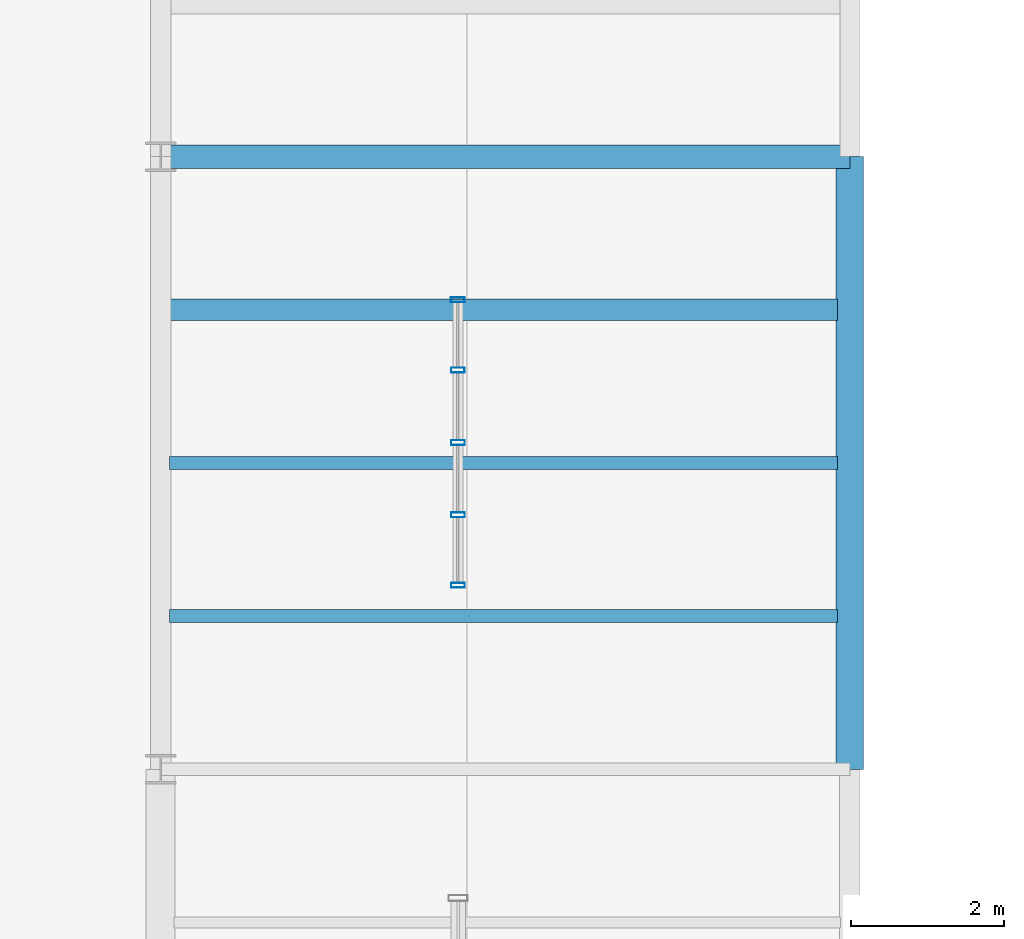
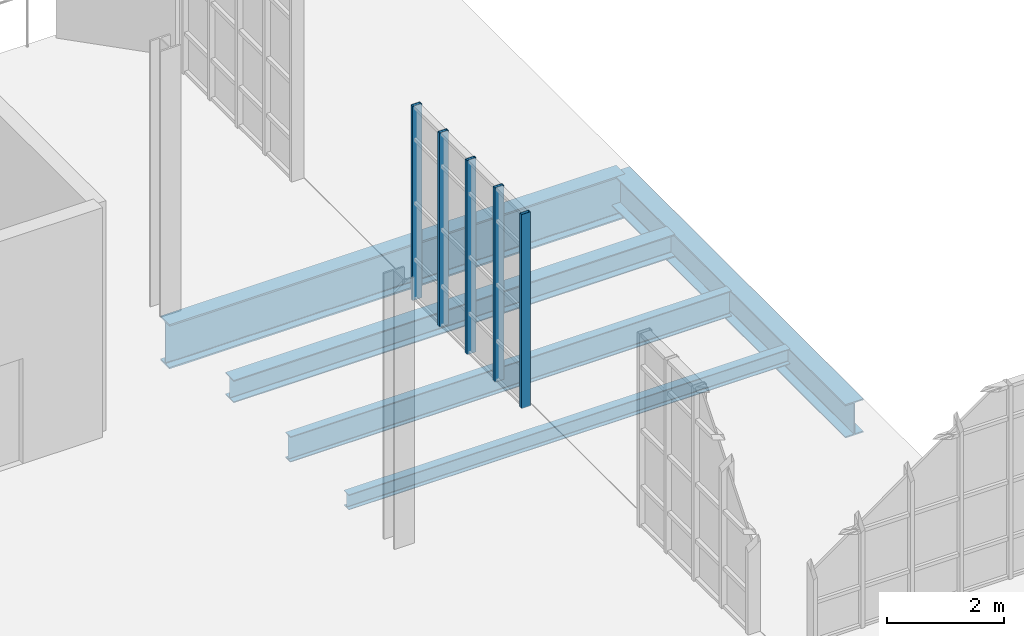
# One storey, part 18 of 36: 5 beams, 5 members, 1 element without a shape of its own.
"""IFC4 building model written with IfcOpenShell, lengths in metres."""

import ifcopenshell
import ifcopenshell.guid

model = None  # the IFC model being written
_history = None  # IfcOwnerHistory: only IFC2X3 demands one
_inside = {}  # id of a spatial element -> (the spatial element, [elements in it])
_under = {}  # id of a project, library or spatial element -> (it, [spatial elements below it])
_declared = {}  # id of a project -> (the project, [libraries it declares])
_typed = {}  # id of a type object -> (the type object, [elements of that type])
_made_of = {}  # id of a material, layer set ... -> (it, [elements and type objects made of it])


def new_model(schema):
    """Start an empty IFC model of exactly this schema.

    Asked for "IFC4X3", IfcOpenShell would pick the latest addendum, in which some entities
    have other attributes; the version numbers below select the first issue.
    IFC2X3 requires an IfcOwnerHistory on every rooted entity: one is made here for all.
    """
    global model, _history
    if schema == "IFC4X3":
        model = ifcopenshell.file(schema_version=(4, 3, 0, 0))
    else:
        model = ifcopenshell.file(schema=schema)
    _inside.clear()
    _under.clear()
    _declared.clear()
    _typed.clear()
    _made_of.clear()
    _history = None
    if model.schema == "IFC2X3":
        org = make("IfcOrganization", Name="unknown")
        user = make(
            "IfcPersonAndOrganization",
            ThePerson=make("IfcPerson", FamilyName="unknown"),
            TheOrganization=org,
        )
        app = make(
            "IfcApplication",
            ApplicationDeveloper=org,
            Version="unknown",
            ApplicationFullName="unknown",
            ApplicationIdentifier="unknown",
        )
        _history = make(
            "IfcOwnerHistory",
            OwningUser=user,
            OwningApplication=app,
            ChangeAction="ADDED",
            CreationDate=0,
        )
    return model


def make(cls, **values):
    """One entity of the class cls with the attributes given. An attribute that is None is left unset."""
    return model.create_entity(
        cls, **{name: value for name, value in values.items() if value is not None}
    )


def rooted(cls, **values):
    """An entity with a GlobalId (a new one), such as an element, a storey or a relation."""
    return make(cls, GlobalId=ifcopenshell.guid.new(), OwnerHistory=_history, **values)


def si_unit(unit_type, name, prefix=None):
    """IfcSIUnit, for example si_unit("LENGTHUNIT", "METRE", prefix="MILLI")."""
    return make("IfcSIUnit", UnitType=unit_type, Prefix=prefix, Name=name)


def assignment(units):
    """IfcUnitAssignment: the units of a project."""
    return None if units is None else make("IfcUnitAssignment", Units=units)


def point(xyz):
    """IfcCartesianPoint."""
    return None if xyz is None else make("IfcCartesianPoint", Coordinates=xyz)


def direction(xyz):
    """IfcDirection."""
    return None if xyz is None else make("IfcDirection", DirectionRatios=xyz)


def frame(location, z_axis=None, x_axis=None):
    """IfcAxis2Placement3D, a coordinate frame: its origin and axes. An axis left out is left unset."""
    return make(
        "IfcAxis2Placement3D",
        Location=point(location),
        Axis=direction(z_axis),
        RefDirection=direction(x_axis),
    )


def frame_2d(location, x_axis=None):
    """IfcAxis2Placement2D, a coordinate frame in the plane: its origin and x axis."""
    return make(
        "IfcAxis2Placement2D", Location=point(location), RefDirection=direction(x_axis)
    )


def origin():
    """The frame at (0, 0, 0) with its axes left unset."""
    return frame((0.0, 0.0, 0.0))


def origin_2d():
    """The frame at (0, 0) in the plane with its x axis left unset."""
    return frame_2d((0.0, 0.0))


def place(relative_to, where):
    """IfcLocalPlacement: puts the frame where relative to a parent placement (None: the world)."""
    return make(
        "IfcLocalPlacement", PlacementRelTo=relative_to, RelativePlacement=where
    )


def context(
    kind, dimensions, precision=None, world=None, true_north=None, identifier=None
):
    """IfcGeometricRepresentationContext, for example the 3D "Model" context."""
    return make(
        "IfcGeometricRepresentationContext",
        ContextIdentifier=identifier,
        ContextType=kind,
        CoordinateSpaceDimension=dimensions,
        Precision=precision,
        WorldCoordinateSystem=world,
        TrueNorth=true_north,
    )


def subcontext(parent, identifier, kind, view, scale=None):
    """IfcGeometricRepresentationSubContext, for example "Body" below "Model"."""
    return make(
        "IfcGeometricRepresentationSubContext",
        ContextIdentifier=identifier,
        ContextType=kind,
        ParentContext=parent,
        TargetScale=scale,
        TargetView=view,
    )


def project(units=None, contexts=None):
    """IfcProject with its units and contexts."""
    return rooted(
        "IfcProject",
        Name="project",
        RepresentationContexts=contexts,
        UnitsInContext=assignment(units),
    )


def spatial(cls, under=None, at=None, **own):
    """A site, building, storey or space (cls), placed at a placement, below another one or the project."""
    s = rooted(cls, ObjectPlacement=at, **own)
    if under is not None:
        _under.setdefault(under.id(), (under, []))[1].append(s)
    return s


def profile(cls, at=None, kind="AREA", **sizes):
    """A parametric profile (cls). Its sizes go by their IFC names, for example OverallWidth=200.0."""
    return make(cls, ProfileType=kind, Position=at, **sizes)


def hollow_rectangle(**sizes):
    """IfcRectangleHollowProfileDef."""
    return profile("IfcRectangleHollowProfileDef", **sizes)


def i_section(**sizes):
    """IfcIShapeProfileDef."""
    return profile("IfcIShapeProfileDef", **sizes)


def extrude(swept, where, along, depth):
    """IfcExtrudedAreaSolid: the profile swept, set in the frame where, extruded along a direction by depth."""
    return make(
        "IfcExtrudedAreaSolid",
        SweptArea=swept,
        Position=where,
        ExtrudedDirection=direction(along),
        Depth=depth,
    )


def shape(context_of_items, identifier, shape_type, items):
    """IfcShapeRepresentation: the items that make up one representation, for example the "Body"."""
    return make(
        "IfcShapeRepresentation",
        ContextOfItems=context_of_items,
        RepresentationIdentifier=identifier,
        RepresentationType=shape_type,
        Items=items,
    )


def material(Name=None, Category=None):
    """IfcMaterial."""
    return make("IfcMaterial", Name=Name, Category=Category)


def layer(
    of_material, thickness, ventilated=None, Name=None, Category=None, Priority=None
):
    """IfcMaterialLayer: one layer of a wall or slab, of a material (None: an air gap)."""
    return make(
        "IfcMaterialLayer",
        Material=of_material,
        LayerThickness=thickness,
        IsVentilated=ventilated,
        Name=Name,
        Category=Category,
        Priority=Priority,
    )


def layer_set(layers, Name=None):
    """IfcMaterialLayerSet."""
    return make("IfcMaterialLayerSet", MaterialLayers=layers, LayerSetName=Name)


def material_profile(
    of_material, cross_section, Name=None, Category=None, Priority=None
):
    """IfcMaterialProfile: a cross section and its material."""
    return make(
        "IfcMaterialProfile",
        Name=Name,
        Material=of_material,
        Profile=cross_section,
        Priority=Priority,
        Category=Category,
    )


def profile_set(profiles, Name=None, composite=None):
    """IfcMaterialProfileSet."""
    return make(
        "IfcMaterialProfileSet",
        Name=Name,
        MaterialProfiles=profiles,
        CompositeProfile=composite,
    )


def made_of(thing, what):
    """Note that an element or type object is made of a material, layer set ...; save() writes the relation."""
    if what is not None:
        _made_of.setdefault(what.id(), (what, []))[1].append(thing)
    return thing


def type_object(cls, material=None, **own):
    """A type object (cls), such as IfcWallType, which elements share."""
    return made_of(rooted(cls, **own), material)


def element(
    cls,
    number,
    at=None,
    inside=None,
    cuts=None,
    type_object=None,
    material=None,
    context=None,
    identifier="Body",
    shape_type=None,
    held_by="IfcProductDefinitionShape",
    body=None,
    shapes=None,
    **own,
):
    """One element of the class cls, such as IfcWall. Its Tag is "e" and its number.

    at: its placement. inside: the storey or other place that contains it. cuts: it is an
    opening in that element (IfcRelVoidsElement). A single representation is given by context,
    identifier, shape_type and body (its items); several are given by shapes. held_by: the class
    of the entity that holds the representations. save() writes the other relations.
    """
    e = rooted(cls, Tag="e%d" % number, ObjectPlacement=at, **own)
    if body is not None:
        shapes = [shape(context, identifier, shape_type, body)]
    if shapes is not None:
        e.Representation = make(held_by, Representations=shapes)
    if inside is not None:
        _inside.setdefault(inside.id(), (inside, []))[1].append(e)
    if cuts is not None:
        rooted(
            "IfcRelVoidsElement", RelatingBuildingElement=cuts, RelatedOpeningElement=e
        )
    if type_object is not None:
        _typed.setdefault(type_object.id(), (type_object, []))[1].append(e)
    return made_of(e, material)


def aggregate(whole, parts):
    """IfcRelAggregates: a whole, such as a stair, and the parts it consists of."""
    return rooted("IfcRelAggregates", RelatingObject=whole, RelatedObjects=parts)


def save(model, path):
    """Write the relations noted so far, then the file.

    IfcRelAggregates (storeys below a building ...), IfcRelContainedInSpatialStructure (elements
    in a storey), IfcRelDefinesByType, IfcRelAssociatesMaterial and IfcRelDeclares: one each for
    every whole, place, type object, material and project.
    """
    for whole, parts in _under.values():
        aggregate(whole, parts)
    for where, things in _inside.values():
        rooted(
            "IfcRelContainedInSpatialStructure",
            RelatedElements=things,
            RelatingStructure=where,
        )
    for kind, things in _typed.values():
        rooted("IfcRelDefinesByType", RelatedObjects=things, RelatingType=kind)
    for what, things in _made_of.values():
        rooted("IfcRelAssociatesMaterial", RelatedObjects=things, RelatingMaterial=what)
    for by, libraries in _declared.values():
        rooted("IfcRelDeclares", RelatingContext=by, RelatedDefinitions=libraries)
    model.write(path)


model = new_model("IFC4")

# Units and contexts
model_context = context("Model", 3, precision=1e-05, world=origin(), true_north=direction((0.0, 1.0)))
body_context = subcontext(model_context, "Body", "Model", "MODEL_VIEW")
ifc_project = project(units=[si_unit("LENGTHUNIT", "METRE"), si_unit("AREAUNIT", "SQUARE_METRE"), si_unit("VOLUMEUNIT", "CUBIC_METRE"), si_unit("PLANEANGLEUNIT", "RADIAN"), si_unit("MASSUNIT", "GRAM", prefix="KILO"), si_unit("THERMODYNAMICTEMPERATUREUNIT", "KELVIN"), si_unit("POWERUNIT", "WATT")], contexts=[model_context])

# Site, building, storey
site_placement = place(None, origin())
site = spatial("IfcSite", under=ifc_project, at=site_placement, CompositionType="ELEMENT")
building_placement = place(site_placement, origin())
building = spatial("IfcBuilding", under=site, at=building_placement, Name="Zelmaris Science Centre", CompositionType="ELEMENT")
storey_placement = place(building_placement, frame((0.0, 0.0, 25.199951171875)))
storey = spatial("IfcBuildingStorey", under=building, at=storey_placement, Name="L05", CompositionType="ELEMENT", Elevation=25.199951171875)

# Curtain wall, members
ifc_material_1 = material(Name="Anodised architectural aluminium 6063-T6", Category="aluminium")
ifc_layer = layer(ifc_material_1, 0.2099609375, Name="Anodised architectural aluminium 6063-T6")
ifc_layer_set = layer_set([ifc_layer], Name="Anodised architectural aluminium 6063-T6")
curtain_wall_type = type_object("IfcCurtainWallType", Name="Curtain Wall CW-03", PredefinedType="USERDEFINED", material=ifc_layer_set)
curtain_wall_placement = place(storey_placement, origin())
curtain_wall = element("IfcCurtainWall", 1, at=curtain_wall_placement, inside=storey, type_object=curtain_wall_type, Name="L05 Unitised curtain wall 363", ObjectType="GLAZED CURTAIN WALL", PredefinedType="USERDEFINED")
ifc_material_profile_1 = material_profile(ifc_material_1, hollow_rectangle(XDim=0.06494140625, YDim=0.179931640625, WallThickness=0.00390625, at=origin_2d()), Name="ALU-MUL-65X180")
ifc_profile_set_1 = profile_set([ifc_material_profile_1], Name="Anodised architectural aluminium 6063-T6")
member_type = type_object("IfcMemberType", Name="ALU-MUL-65X180", PredefinedType="MULLION", material=ifc_profile_set_1)
member_1_placement = place(storey_placement, frame((75.88232421875, 78.12890625, -0.014892578125), z_axis=(0.0, 0.0, 1.0), x_axis=(0.00039618973, -0.999999921517, 0.0)))
member_1 = element("IfcMember", 2, at=member_1_placement, type_object=member_type, Name="CW-03 mullion 1", PredefinedType="MULLION", context=body_context, shape_type="SweptSolid", body=[
    extrude(hollow_rectangle(XDim=0.06494140625, YDim=0.179931640625, WallThickness=0.00390625, at=origin_2d()), origin(), (0.0, 0.0, 1.0), 4.054931640625),
])
member_2_placement = place(storey_placement, frame((75.882568359375, 77.2119140625, -0.014892578125), z_axis=(0.0, 0.0, 1.0), x_axis=(0.00039618973, -0.999999921517, 0.0)))
member_2 = element("IfcMember", 3, at=member_2_placement, type_object=member_type, Name="CW-03 mullion 2", PredefinedType="MULLION", context=body_context, shape_type="SweptSolid", body=[
    extrude(hollow_rectangle(XDim=0.06494140625, YDim=0.179931640625, WallThickness=0.00390625, at=origin_2d()), origin(), (0.0, 0.0, 1.0), 4.054931640625),
])
member_3_placement = place(storey_placement, frame((75.883056640625, 76.266357421875, -0.014892578125), z_axis=(0.0, 0.0, 1.0), x_axis=(0.00039618973, -0.999999921517, 0.0)))
member_3 = element("IfcMember", 4, at=member_3_placement, type_object=member_type, Name="CW-03 mullion 3", PredefinedType="MULLION", context=body_context, shape_type="SweptSolid", body=[
    extrude(hollow_rectangle(XDim=0.06494140625, YDim=0.179931640625, WallThickness=0.00390625, at=origin_2d()), origin(), (0.0, 0.0, 1.0), 4.054931640625),
])
member_4_placement = place(storey_placement, frame((75.883544921875, 75.32080078125, -0.014892578125), z_axis=(0.0, 0.0, 1.0), x_axis=(0.00039618973, -0.999999921517, 0.0)))
member_4 = element("IfcMember", 5, at=member_4_placement, type_object=member_type, Name="CW-03 mullion 4", PredefinedType="MULLION", context=body_context, shape_type="SweptSolid", body=[
    extrude(hollow_rectangle(XDim=0.06494140625, YDim=0.179931640625, WallThickness=0.00390625, at=origin_2d()), origin(), (0.0, 0.0, 1.0), 4.054931640625),
])
member_5_placement = place(storey_placement, frame((75.8837890625, 74.40380859375, -0.014892578125), z_axis=(0.0, 0.0, 1.0), x_axis=(0.00039618973, -0.999999921517, 0.0)))
member_5 = element("IfcMember", 6, at=member_5_placement, type_object=member_type, Name="CW-03 mullion 5", PredefinedType="MULLION", context=body_context, shape_type="SweptSolid", body=[
    extrude(hollow_rectangle(XDim=0.06494140625, YDim=0.179931640625, WallThickness=0.00390625, at=origin_2d()), origin(), (0.0, 0.0, 1.0), 4.054931640625),
])
aggregate(curtain_wall, [member_1, member_2, member_3, member_4, member_5])

# Beams
ifc_material_2 = material(Name="Steel ASTM A992 Grade 50", Category="steel")
ifc_material_profile_2 = material_profile(ifc_material_2, i_section(OverallWidth=0.306884765625, OverallDepth=0.927001953125, WebThickness=0.019287109375, FlangeThickness=0.031982421875, FilletRadius=0.02392578125, at=origin_2d()), Name="W36X194")
ifc_profile_set_2 = profile_set([ifc_material_profile_2], Name="Steel ASTM A992 Grade 50")
beam_type_1 = type_object("IfcBeamType", Name="Beam G-03 W36X194", PredefinedType="BEAM", material=ifc_profile_set_2)
beam_1_placement = place(storey_placement, frame((72.0, 80.0, -0.71337890625), z_axis=(1.0, 0.0, 0.0), x_axis=(0.0, 1.0, 0.0)))
element("IfcBeam", 7, at=beam_1_placement, inside=storey, type_object=beam_type_1, Name="L05 East-west girder 930", PredefinedType="BEAM", context=body_context, shape_type="SweptSolid", body=[
    extrude(i_section(OverallWidth=0.306884765625, OverallDepth=0.927001953125, WebThickness=0.019287109375, FlangeThickness=0.031982421875, FilletRadius=0.02392578125, at=origin_2d()), origin(), (0.0, 0.0, 1.0), 9.0),
])
ifc_material_profile_3 = material_profile(ifc_material_2, i_section(OverallWidth=0.35595703125, OverallDepth=0.700927734375, WebThickness=0.016845703125, FlangeThickness=0.02734375, FilletRadius=0.01806640625, at=origin_2d()), Name="W27X161")
ifc_profile_set_3 = profile_set([ifc_material_profile_3], Name="Steel ASTM A992 Grade 50")
beam_type_2 = type_object("IfcBeamType", Name="Beam G-35 W27X161", PredefinedType="BEAM", material=ifc_profile_set_3)
beam_2_placement = place(storey_placement, frame((81.0, 72.0, -0.600341796875), z_axis=(0.0, 1.0, 0.0), x_axis=(-1.0, 0.0, 0.0)))
element("IfcBeam", 8, at=beam_2_placement, inside=storey, type_object=beam_type_2, Name="L05 North-south girder 923", PredefinedType="BEAM", context=body_context, shape_type="SweptSolid", body=[
    extrude(i_section(OverallWidth=0.35595703125, OverallDepth=0.700927734375, WebThickness=0.016845703125, FlangeThickness=0.02734375, FilletRadius=0.01806640625, at=origin_2d()), origin(), (0.0, 0.0, 1.0), 8.0),
])
ifc_material_profile_4 = material_profile(ifc_material_2, i_section(OverallWidth=0.16796875, OverallDepth=0.532958984375, WebThickness=0.01025390625, FlangeThickness=0.0166015625, FilletRadius=0.013916015625, at=origin_2d()), Name="W21X57")
ifc_profile_set_4 = profile_set([ifc_material_profile_4], Name="Steel ASTM A992 Grade 50")
beam_type_3 = type_object("IfcBeamType", Name="Beam J-01 W21X57", PredefinedType="JOIST", material=ifc_profile_set_4)
beam_3_placement = place(storey_placement, frame((72.118408203125, 76.0, -0.516357421875), z_axis=(1.0, 0.0, 0.0), x_axis=(0.0, 1.0, 0.0)))
element("IfcBeam", 9, at=beam_3_placement, inside=storey, type_object=beam_type_3, Name="L05 Composite floor joist 423", PredefinedType="JOIST", context=body_context, shape_type="SweptSolid", body=[
    extrude(i_section(OverallWidth=0.16796875, OverallDepth=0.532958984375, WebThickness=0.01025390625, FlangeThickness=0.0166015625, FilletRadius=0.013916015625, at=origin_2d()), origin(), (0.0, 0.0, 1.0), 8.718505859375),
])
ifc_material_profile_5 = material_profile(ifc_material_2, i_section(OverallWidth=0.281982421875, OverallDepth=0.471923828125, WebThickness=0.013671875, FlangeThickness=0.022216796875, FilletRadius=0.012939453125, at=origin_2d()), Name="W18X97")
ifc_profile_set_5 = profile_set([ifc_material_profile_5], Name="Steel ASTM A992 Grade 50")
beam_type_4 = type_object("IfcBeamType", Name="Beam J-02 W18X97", PredefinedType="JOIST", material=ifc_profile_set_5)
beam_4_placement = place(storey_placement, frame((72.118408203125, 78.0, -0.48583984375), z_axis=(1.0, 0.0, 0.0), x_axis=(0.0, 1.0, 0.0)))
element("IfcBeam", 10, at=beam_4_placement, inside=storey, type_object=beam_type_4, Name="L05 Composite floor joist 424", PredefinedType="JOIST", context=body_context, shape_type="SweptSolid", body=[
    extrude(i_section(OverallWidth=0.281982421875, OverallDepth=0.471923828125, WebThickness=0.013671875, FlangeThickness=0.022216796875, FilletRadius=0.012939453125, at=origin_2d()), origin(), (0.0, 0.0, 1.0), 8.718505859375),
])
ifc_material_profile_6 = material_profile(ifc_material_2, i_section(OverallWidth=0.1669921875, OverallDepth=0.318115234375, WebThickness=0.007568359375, FlangeThickness=0.01318359375, FilletRadius=0.011962890625, at=origin_2d()), Name="W12X35")
ifc_profile_set_6 = profile_set([ifc_material_profile_6], Name="Steel ASTM A992 Grade 50")
beam_type_5 = type_object("IfcBeamType", Name="Beam J-09 W12X35", PredefinedType="JOIST", material=ifc_profile_set_6)
beam_5_placement = place(storey_placement, frame((72.118408203125, 74.0, -0.408935546875), z_axis=(1.0, 0.0, 0.0), x_axis=(0.0, 1.0, 0.0)))
element("IfcBeam", 11, at=beam_5_placement, inside=storey, type_object=beam_type_5, Name="L05 Composite floor joist 422", PredefinedType="JOIST", context=body_context, shape_type="SweptSolid", body=[
    extrude(i_section(OverallWidth=0.1669921875, OverallDepth=0.318115234375, WebThickness=0.007568359375, FlangeThickness=0.01318359375, FilletRadius=0.011962890625, at=origin_2d()), origin(), (0.0, 0.0, 1.0), 8.718505859375),
])

save(model, "model.ifc")
